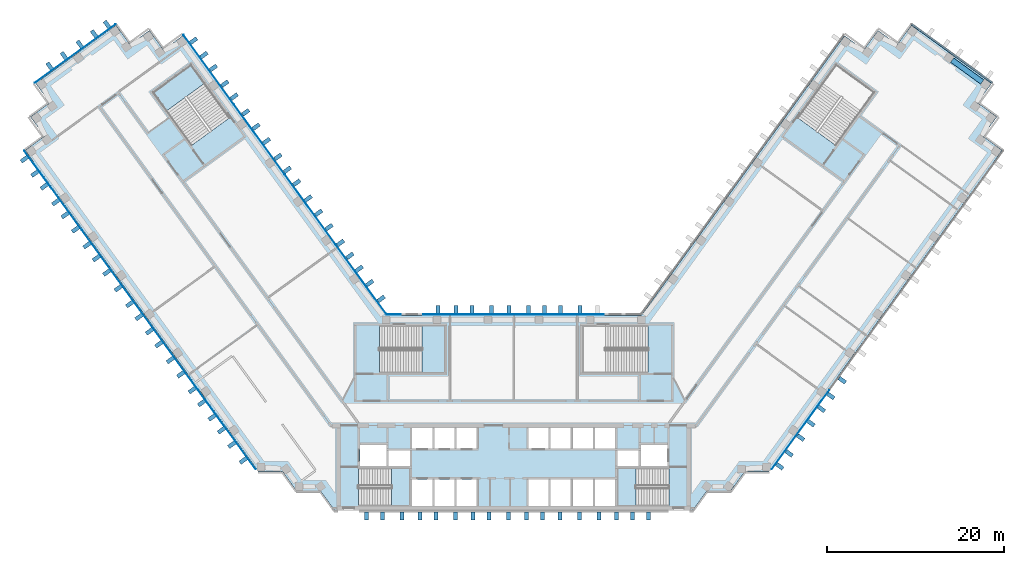
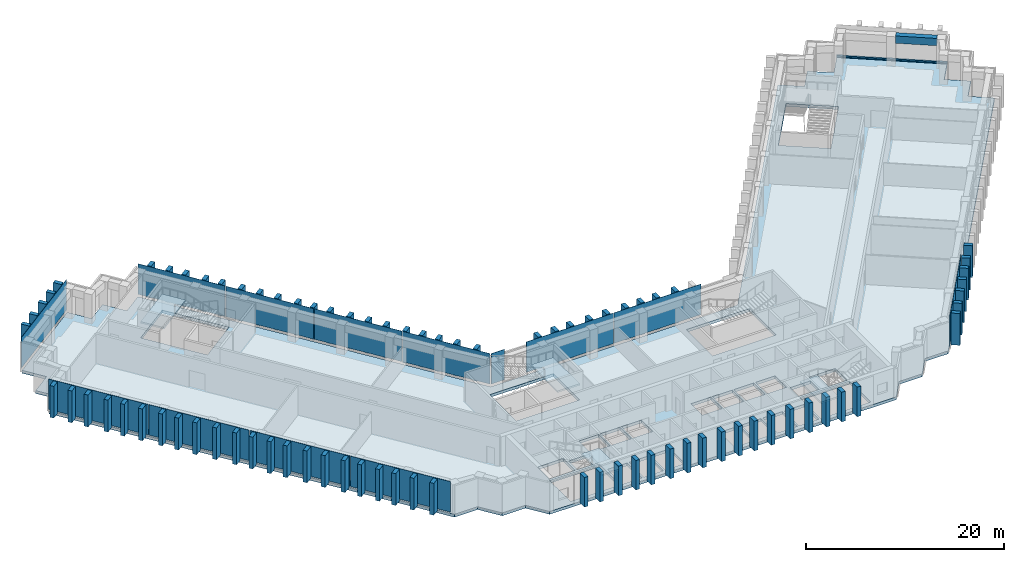
"""IFC4 building model written with IfcOpenShell, lengths in metres."""

from ifc_helpers import new_model, si_unit, direction, frame, origin, origin_2d, place, context, subcontext, project, spatial, polyline, rectangle, outline, extrude, material, layer, layer_set, material_profile, profile_set, type_object, element, aggregate, save


model = new_model("IFC4")

# Units and contexts
model_context = context("Model", 3, precision=1e-05, world=origin(), true_north=direction((0.0, 1.0)))
body_context = subcontext(model_context, "Body", "Model", "MODEL_VIEW")
ifc_project = project(units=[si_unit("LENGTHUNIT", "METRE"), si_unit("AREAUNIT", "SQUARE_METRE"), si_unit("VOLUMEUNIT", "CUBIC_METRE"), si_unit("PLANEANGLEUNIT", "RADIAN"), si_unit("MASSUNIT", "GRAM", prefix="KILO")], contexts=[model_context])

# Site, building, storey
site_placement = place(None, origin())
site = spatial("IfcSite", under=ifc_project, at=site_placement, CompositionType="ELEMENT")
building_placement = place(site_placement, origin())
building = spatial("IfcBuilding", under=site, at=building_placement, Name="Quipu Civic Tower", CompositionType="ELEMENT")
storey_1_placement = place(building_placement, frame((0.0, 0.0, 67.0)))
storey_1 = spatial("IfcBuildingStorey", under=building, at=storey_1_placement, Name="L15", CompositionType="ELEMENT", Elevation=67.0)

# Beam
ifc_material_1 = material(Name="Concrete C50/60", Category="concrete")
ifc_material_profile_1 = material_profile(ifc_material_1, rectangle(XDim=0.60009765625, YDim=0.89990234375, at=origin_2d()), Name="RC600x900")
ifc_profile_set_1 = profile_set([ifc_material_profile_1], Name="Concrete C50/60")
beam_type = type_object("IfcBeamType", Name="Spandrel beam RC 600x900 C50/60", PredefinedType="SPANDREL", material=ifc_profile_set_1)
beam_placement = place(storey_1_placement, frame((52.85595703125, 37.314453125, 3.199951171875), z_axis=(-0.808959834407, 0.587863918196, 0.0), x_axis=(-0.587863918196, -0.808959834407, 0.0)))
element("IfcBeam", 1, at=beam_placement, inside=storey_1, type_object=beam_type, Name="Spandrel beam L15 T-Eo.4-E50 to TIP-E-01-E50", PredefinedType="SPANDREL", context=body_context, shape_type="SweptSolid", body=[
    extrude(rectangle(XDim=0.60009765625, YDim=0.89990234375, at=origin_2d()), origin(), (0.0, 0.0, 1.0), 4.1982421875),
])

# Storey
storey_2_placement = place(building_placement, frame((0.0, 0.0, 59.0)))
storey_2 = spatial("IfcBuildingStorey", under=building, at=storey_2_placement, Name="L13", CompositionType="ELEMENT", Elevation=59.0)

# Curtain wall, member
ifc_material_2 = material(Name="Insulated glass unit", Category="glass")
curtain_wall_type = type_object("IfcCurtainWallType", Name="Office curtain wall CW1", PredefinedType="NOTDEFINED", material=ifc_material_2)
curtain_wall_1_placement = place(storey_2_placement, origin())
curtain_wall_1 = element("IfcCurtainWall", 2, at=curtain_wall_1_placement, inside=storey_2, type_object=curtain_wall_type, Name="Office curtain wall CW1 L12 run 31", PredefinedType="NOTDEFINED")
ifc_material_3 = material(Name="Anodised aluminium", Category="aluminium")
ifc_material_profile_2 = material_profile(ifc_material_3, rectangle(XDim=0.199951171875, YDim=0.159912109375, at=origin_2d()), Name="RECT 200x160")
ifc_profile_set_2 = profile_set([ifc_material_profile_2], Name="Anodised aluminium")
member_type = type_object("IfcMemberType", Name="Transom CW1", PredefinedType="USERDEFINED", material=ifc_profile_set_2)
member_1_placement = place(storey_1_placement, frame((53.994873046875, 37.228515625, 0.0), z_axis=(-0.809032792449, 0.587763507495, 0.0), x_axis=(-0.587763507495, -0.809032792449, 0.0)))
member_1 = element("IfcMember", 3, at=member_1_placement, inside=storey_1, type_object=member_type, Name="CW1 transom 1.4", ObjectType="TRANSOM", PredefinedType="USERDEFINED", context=body_context, shape_type="SweptSolid", body=[
    extrude(rectangle(XDim=0.199951171875, YDim=0.159912109375, at=origin_2d()), origin(), (0.0, 0.0, 1.0), 11.239990234375),
])
aggregate(curtain_wall_1, [member_1])

# Storey
storey_3_placement = place(building_placement, frame((0.0, 0.0, 71.0)))
storey_3 = spatial("IfcBuildingStorey", under=building, at=storey_3_placement, Name="L16", CompositionType="ELEMENT", Elevation=71.0)

# Curtain wall, member
curtain_wall_2_placement = place(storey_3_placement, origin())
curtain_wall_2 = element("IfcCurtainWall", 4, at=curtain_wall_2_placement, inside=storey_3, type_object=curtain_wall_type, Name="Office curtain wall CW1 L15 run 25", PredefinedType="NOTDEFINED")
member_2_placement = place(storey_1_placement, frame((53.994873046875, 37.228515625, 0.159912109375), z_axis=(-0.809032792449, 0.587763507495, 0.0), x_axis=(-0.587763507495, -0.809032792449, 0.0)))
member_2 = element("IfcMember", 5, at=member_2_placement, inside=storey_1, type_object=member_type, Name="CW1 transom 1.1", ObjectType="TRANSOM", PredefinedType="USERDEFINED", context=body_context, shape_type="SweptSolid", body=[
    extrude(rectangle(XDim=0.199951171875, YDim=0.159912109375, at=origin_2d()), origin(), (0.0, 0.0, 1.0), 11.239990234375),
])
aggregate(curtain_wall_2, [member_2])

# Slab
ifc_material_4 = material(Name="Concrete C40/50", Category="concrete")
ifc_layer_1 = layer(ifc_material_4, 0.35009765625)
ifc_layer_set_1 = layer_set([ifc_layer_1], Name="Concrete C40/50")
slab_type_1 = type_object("IfcSlabType", Name="Floor slab 350 C40/50", PredefinedType="FLOOR", material=ifc_layer_set_1)
slab_1_placement = place(storey_1_placement, frame((0.0, 0.0, -0.35009765625)))
element("IfcSlab", 6, at=slab_1_placement, inside=storey_1, type_object=slab_type_1, Name="Floor slab L15", PredefinedType="FLOOR", context=body_context, shape_type="SweptSolid", body=[
    extrude(outline(polyline([(37.31494140625, 42.550048828125), (39.5, 40.9599609375), (41.0849609375, 43.14501953125), (43.27001953125, 41.56005859375), (44.860107421875, 43.739990234375), (53.919921875, 37.159912109375), (52.3349609375, 34.97509765625), (54.514892578125, 33.389892578125), (52.929931640625, 31.205078125), (55.114990234375, 29.614990234375), (28.780029296875, -6.6298828125), (26.080078125, -6.6298828125), (24.489990234375, -8.81494140625), (21.7900390625, -8.81494140625), (20.205078125, -11.0), (-20.205078125, -11.0), (-21.7900390625, -8.81494140625), (-24.489990234375, -8.81494140625), (-26.080078125, -6.6298828125), (-28.780029296875, -6.6298828125), (-55.114990234375, 29.614990234375), (-52.929931640625, 31.205078125), (-54.514892578125, 33.389892578125), (-52.3349609375, 34.97509765625), (-53.919921875, 37.159912109375), (-44.860107421875, 43.739990234375), (-43.27001953125, 41.56005859375), (-41.0849609375, 43.14501953125), (-39.5, 40.9599609375), (-37.31494140625, 42.550048828125), (-14.39501953125, 11.0), (14.39501953125, 11.0), (37.31494140625, 42.550048828125)]), holes=[polyline([(-11.449951171875, -7.5), (-11.449951171875, -10.5), (-9.14990234375, -10.5), (-9.14990234375, -7.5), (-11.449951171875, -7.5)]), polyline([(-6.64990234375, -7.5), (-8.949951171875, -7.5), (-8.949951171875, -10.5), (-6.64990234375, -10.5), (-6.64990234375, -7.5)]), polyline([(-4.14990234375, -7.5), (-6.449951171875, -7.5), (-6.449951171875, -10.5), (-4.14990234375, -10.5), (-4.14990234375, -7.5)]), polyline([(1.64990234375, -7.5), (1.64990234375, -10.5), (3.949951171875, -10.5), (3.949951171875, -7.5), (1.64990234375, -7.5)]), polyline([(-11.705078125, -10.4951171875), (-11.705078125, -6.2548828125), (-17.4951171875, -6.2548828125), (-17.4951171875, -10.4951171875), (-11.705078125, -10.4951171875)]), polyline([(-11.699951171875, -4.25), (-14.10009765625, -4.25), (-14.10009765625, -6.0), (-11.699951171875, -6.0), (-11.699951171875, -4.25)]), polyline([(-17.35009765625, -3.60009765625), (-17.35009765625, -6.0), (-14.35009765625, -6.0), (-14.35009765625, -3.60009765625), (-17.35009765625, -3.60009765625)]), polyline([(-9.14990234375, -1.699951171875), (-11.449951171875, -1.699951171875), (-11.449951171875, -4.0), (-9.14990234375, -4.0), (-9.14990234375, -1.699951171875)]), polyline([(-6.64990234375, -1.699951171875), (-8.949951171875, -1.699951171875), (-8.949951171875, -4.0), (-6.64990234375, -4.0), (-6.64990234375, -1.699951171875)]), polyline([(-6.449951171875, -1.699951171875), (-6.449951171875, -4.0), (-4.14990234375, -4.0), (-4.14990234375, -1.699951171875), (-6.449951171875, -1.699951171875)]), polyline([(-7.7548828125, 4.5048828125), (-7.7548828125, 9.844970703125), (-15.14501953125, 9.844970703125), (-15.14501953125, 4.5048828125), (-7.7548828125, 4.5048828125)]), polyline([(-36.364990234375, 39.27490234375), (-40.68505859375, 36.135009765625), (-36.344970703125, 30.159912109375), (-32.02490234375, 33.300048828125), (-36.364990234375, 39.27490234375)]), polyline([(4.14990234375, -7.5), (4.14990234375, -10.5), (6.449951171875, -10.5), (6.449951171875, -7.5), (4.14990234375, -7.5)]), polyline([(8.949951171875, -7.5), (6.64990234375, -7.5), (6.64990234375, -10.5), (8.949951171875, -10.5), (8.949951171875, -7.5)]), polyline([(11.449951171875, -7.5), (9.14990234375, -7.5), (9.14990234375, -10.5), (11.449951171875, -10.5), (11.449951171875, -7.5)]), polyline([(11.705078125, -10.4951171875), (17.4951171875, -10.4951171875), (17.4951171875, -6.2548828125), (11.705078125, -6.2548828125), (11.705078125, -10.4951171875)]), polyline([(14.10009765625, -4.25), (11.699951171875, -4.25), (11.699951171875, -6.0), (14.10009765625, -6.0), (14.10009765625, -4.25)]), polyline([(17.35009765625, -3.60009765625), (14.35009765625, -3.60009765625), (14.35009765625, -6.0), (17.35009765625, -6.0), (17.35009765625, -3.60009765625)]), polyline([(1.64990234375, -1.699951171875), (1.64990234375, -4.0), (3.949951171875, -4.0), (3.949951171875, -1.699951171875), (1.64990234375, -1.699951171875)]), polyline([(6.449951171875, -1.699951171875), (4.14990234375, -1.699951171875), (4.14990234375, -4.0), (6.449951171875, -4.0), (6.449951171875, -1.699951171875)]), polyline([(8.949951171875, -1.699951171875), (6.64990234375, -1.699951171875), (6.64990234375, -4.0), (8.949951171875, -4.0), (8.949951171875, -1.699951171875)]), polyline([(9.14990234375, -1.699951171875), (9.14990234375, -4.0), (11.449951171875, -4.0), (11.449951171875, -1.699951171875), (9.14990234375, -1.699951171875)]), polyline([(7.7548828125, 9.844970703125), (7.7548828125, 4.5048828125), (15.14501953125, 4.5048828125), (15.14501953125, 9.844970703125), (7.7548828125, 9.844970703125)]), polyline([(40.68505859375, 36.135009765625), (36.364990234375, 39.27490234375), (32.02490234375, 33.300048828125), (36.344970703125, 30.159912109375), (40.68505859375, 36.135009765625)])]), origin(), (0.0, 0.0, 1.0), 0.35009765625),
])

# Curtain wall, plates
curtain_wall_3_placement = place(storey_3_placement, origin())
curtain_wall_3 = element("IfcCurtainWall", 7, at=curtain_wall_3_placement, inside=storey_3, type_object=curtain_wall_type, Name="Office curtain wall CW1 L15 run 1", PredefinedType="NOTDEFINED")
ifc_material_5 = material(Name="Insulated glass unit", Category="glass")
ifc_layer_2 = layer(ifc_material_5, 0.028076171875)
ifc_layer_set_2 = layer_set([ifc_layer_2], Name="Insulated glass unit")
plate_type_1 = type_object("IfcPlateType", Name="Glass panel CW1", PredefinedType="CURTAIN_PANEL", material=ifc_layer_set_2)
plate_1_placement = place(storey_1_placement, frame((-17.224609375, 15.064697265625, 0.240234375), z_axis=(0.0, 0.0, 1.0), x_axis=(-0.587785887566, 0.809016532822, 0.0)))
plate_1 = element("IfcPlate", 8, at=plate_1_placement, inside=storey_1, type_object=plate_type_1, Name="CW1 panel 1.1", PredefinedType="CURTAIN_PANEL", context=body_context, shape_type="SweptSolid", body=[
    extrude(rectangle(XDim=9.64111328125, YDim=0.028076171875, at=origin_2d()), origin(), (0.0, 0.0, 1.0), 3.760009765625),
])
plate_2_placement = place(storey_1_placement, frame((-22.950439453125, 22.9453125, 0.240234375), z_axis=(0.0, 0.0, 1.0), x_axis=(-0.587785887566, 0.809016532822, 0.0)))
plate_2 = element("IfcPlate", 9, at=plate_2_placement, inside=storey_1, type_object=plate_type_1, Name="CW1 panel 2.1", PredefinedType="CURTAIN_PANEL", context=body_context, shape_type="SweptSolid", body=[
    extrude(rectangle(XDim=9.68115234375, YDim=0.028076171875, at=origin_2d()), origin(), (0.0, 0.0, 1.0), 3.760009765625),
])
plate_3_placement = place(storey_1_placement, frame((-28.687744140625, 30.84228515625, 0.240234375), z_axis=(0.0, 0.0, 1.0), x_axis=(-0.587785887566, 0.809016532822, 0.0)))
plate_3 = element("IfcPlate", 10, at=plate_3_placement, inside=storey_1, type_object=plate_type_1, Name="CW1 panel 3.1", PredefinedType="CURTAIN_PANEL", context=body_context, shape_type="SweptSolid", body=[
    extrude(rectangle(XDim=9.68115234375, YDim=0.028076171875, at=origin_2d()), origin(), (0.0, 0.0, 1.0), 3.760009765625),
])
plate_4_placement = place(storey_1_placement, frame((-34.413330078125, 38.722900390625, 0.240234375), z_axis=(0.0, 0.0, 1.0), x_axis=(-0.587785887566, 0.809016532822, 0.0)))
plate_4 = element("IfcPlate", 11, at=plate_4_placement, inside=storey_1, type_object=plate_type_1, Name="CW1 panel 4.1", PredefinedType="CURTAIN_PANEL", context=body_context, shape_type="SweptSolid", body=[
    extrude(rectangle(XDim=9.64111328125, YDim=0.028076171875, at=origin_2d()), origin(), (0.0, 0.0, 1.0), 3.760009765625),
])
aggregate(curtain_wall_3, [plate_1, plate_2, plate_3, plate_4])

# Curtain wall, plate
curtain_wall_4_placement = place(storey_3_placement, origin())
curtain_wall_4 = element("IfcCurtainWall", 12, at=curtain_wall_4_placement, inside=storey_3, type_object=curtain_wall_type, Name="Office curtain wall CW1 L15 run 6", PredefinedType="NOTDEFINED")
plate_5_placement = place(storey_1_placement, frame((-49.447998046875, 40.53173828125, 0.240234375), z_axis=(0.0, 0.0, 1.0), x_axis=(-0.809019348124, -0.587782012621, 0.0)))
plate_5 = element("IfcPlate", 13, at=plate_5_placement, inside=storey_1, type_object=plate_type_1, Name="CW1 panel 1.1", PredefinedType="CURTAIN_PANEL", context=body_context, shape_type="SweptSolid", body=[
    extrude(rectangle(XDim=11.239990234375, YDim=0.028076171875, at=origin_2d()), origin(), (0.0, 0.0, 1.0), 3.760009765625),
])
aggregate(curtain_wall_4, [plate_5])

# Curtain wall, plates
curtain_wall_5_placement = place(storey_3_placement, origin())
curtain_wall_5 = element("IfcCurtainWall", 14, at=curtain_wall_5_placement, inside=storey_3, type_object=curtain_wall_type, Name="Office curtain wall CW1 L15 run 8", PredefinedType="NOTDEFINED")
plate_6_placement = place(storey_1_placement, frame((-51.967529296875, 25.114990234375, 0.240234375), z_axis=(0.0, 0.0, 1.0), x_axis=(0.587785559869, -0.809016770908, 0.0)))
plate_6 = element("IfcPlate", 15, at=plate_6_placement, inside=storey_1, type_object=plate_type_1, Name="CW1 panel 1.1", PredefinedType="CURTAIN_PANEL", context=body_context, shape_type="SweptSolid", body=[
    extrude(rectangle(XDim=11.022705078125, YDim=0.028076171875, at=origin_2d()), origin(), (0.0, 0.0, 1.0), 3.760009765625),
])
plate_7_placement = place(storey_1_placement, frame((-45.4296875, 16.11669921875, 0.240234375), z_axis=(0.0, 0.0, 1.0), x_axis=(0.587785559869, -0.809016770908, 0.0)))
plate_7 = element("IfcPlate", 16, at=plate_7_placement, inside=storey_1, type_object=plate_type_1, Name="CW1 panel 2.1", PredefinedType="CURTAIN_PANEL", context=body_context, shape_type="SweptSolid", body=[
    extrude(rectangle(XDim=11.062744140625, YDim=0.028076171875, at=origin_2d()), origin(), (0.0, 0.0, 1.0), 3.760009765625),
])
plate_8_placement = place(storey_1_placement, frame((-38.880126953125, 7.101806640625, 0.240234375), z_axis=(0.0, 0.0, 1.0), x_axis=(0.587785559869, -0.809016770908, 0.0)))
plate_8 = element("IfcPlate", 17, at=plate_8_placement, inside=storey_1, type_object=plate_type_1, Name="CW1 panel 3.1", PredefinedType="CURTAIN_PANEL", context=body_context, shape_type="SweptSolid", body=[
    extrude(rectangle(XDim=11.062744140625, YDim=0.028076171875, at=origin_2d()), origin(), (0.0, 0.0, 1.0), 3.760009765625),
])
plate_9_placement = place(storey_1_placement, frame((-32.342529296875, -1.896484375, 0.240234375), z_axis=(0.0, 0.0, 1.0), x_axis=(0.587785559869, -0.809016770908, 0.0)))
plate_9 = element("IfcPlate", 18, at=plate_9_placement, inside=storey_1, type_object=plate_type_1, Name="CW1 panel 4.1", PredefinedType="CURTAIN_PANEL", context=body_context, shape_type="SweptSolid", body=[
    extrude(rectangle(XDim=11.022705078125, YDim=0.028076171875, at=origin_2d()), origin(), (0.0, 0.0, 1.0), 3.760009765625),
])
aggregate(curtain_wall_5, [plate_6, plate_7, plate_8, plate_9])

# Curtain wall, plate
curtain_wall_6_placement = place(storey_3_placement, origin())
curtain_wall_6 = element("IfcCurtainWall", 19, at=curtain_wall_6_placement, inside=storey_3, type_object=curtain_wall_type, Name="Office curtain wall CW1 L15 run 20", PredefinedType="NOTDEFINED")
plate_10_placement = place(storey_1_placement, frame((32.342529296875, -1.896484375, 0.240234375), z_axis=(0.0, 0.0, 1.0), x_axis=(0.587785559869, 0.809016770908, 0.0)))
plate_10 = element("IfcPlate", 20, at=plate_10_placement, inside=storey_1, type_object=plate_type_1, Name="CW1 panel 1.1", PredefinedType="CURTAIN_PANEL", context=body_context, shape_type="SweptSolid", body=[
    extrude(rectangle(XDim=11.022705078125, YDim=0.028076171875, at=origin_2d()), origin(), (0.0, 0.0, 1.0), 3.760009765625),
])
aggregate(curtain_wall_6, [plate_10])

# Curtain wall, plates
curtain_wall_7_placement = place(storey_3_placement, origin())
curtain_wall_7 = element("IfcCurtainWall", 21, at=curtain_wall_7_placement, inside=storey_3, type_object=curtain_wall_type, Name="Office curtain wall CW1 L15 run 33", PredefinedType="NOTDEFINED")
plate_11_placement = place(storey_1_placement, frame((5.11181640625, 11.10009765625, 0.240234375), z_axis=(0.0, 0.0, 1.0), x_axis=(-1.0, 0.0, 0.0)))
plate_11 = element("IfcPlate", 22, at=plate_11_placement, inside=storey_1, type_object=plate_type_1, Name="CW1 panel 1.1", PredefinedType="CURTAIN_PANEL", context=body_context, shape_type="SweptSolid", body=[
    extrude(rectangle(XDim=10.1435546875, YDim=0.028076171875, at=origin_2d()), origin(), (0.0, 0.0, 1.0), 3.760009765625),
])
plate_12_placement = place(storey_1_placement, frame((-5.11181640625, 11.10009765625, 0.240234375), z_axis=(0.0, 0.0, 1.0), x_axis=(-1.0, 0.0, 0.0)))
plate_12 = element("IfcPlate", 23, at=plate_12_placement, inside=storey_1, type_object=plate_type_1, Name="CW1 panel 2.1", PredefinedType="CURTAIN_PANEL", context=body_context, shape_type="SweptSolid", body=[
    extrude(rectangle(XDim=10.1435546875, YDim=0.028076171875, at=origin_2d()), origin(), (0.0, 0.0, 1.0), 3.760009765625),
])
aggregate(curtain_wall_7, [plate_11, plate_12])

# Curtain wall, plate
curtain_wall_8_placement = place(storey_3_placement, origin())
curtain_wall_8 = element("IfcCurtainWall", 24, at=curtain_wall_8_placement, inside=storey_3, type_object=curtain_wall_type, Name="Office curtain wall CW1 L15 run 35", PredefinedType="NOTDEFINED")
plate_13_placement = place(storey_1_placement, frame((-13.49951171875, 11.10009765625, 0.240234375), z_axis=(0.0, 0.0, 1.0), x_axis=(-1.0, 0.0, 0.0)))
plate_13 = element("IfcPlate", 25, at=plate_13_placement, inside=storey_1, type_object=plate_type_1, Name="CW1 panel 1.1", PredefinedType="CURTAIN_PANEL", context=body_context, shape_type="SweptSolid", body=[
    extrude(rectangle(XDim=1.529296875, YDim=0.028076171875, at=origin_2d()), origin(), (0.0, 0.0, 1.0), 3.760009765625),
])
aggregate(curtain_wall_8, [plate_13])

# Plates
ifc_material_6 = material(Name="Precast concrete C40/50", Category="concrete")
plate_type_2 = type_object("IfcPlateType", Name="Precast fin F1", PredefinedType="SHEET", material=ifc_material_6)
for number, where, z_axis, x_axis, name in (
    (26, (-14.942138671875, 12.8583984375, 0.080078125), (0.0, 0.0, 1.0), (-0.587784944053, 0.809017218324, 0.0), "Precast fin F1 L15.1.1"),
    (27, (-16.235107421875, 14.638427734375, 0.080078125), (0.0, 0.0, 1.0), (-0.587784944053, 0.809017218324, 0.0), "Precast fin F1 L15.1.2"),
    (28, (-17.41064453125, 16.25634765625, 0.080078125), (0.0, 0.0, 1.0), (-0.587784944053, 0.809017218324, 0.0), "Precast fin F1 L15.1.3"),
    (29, (-18.46875, 17.712646484375, 0.080078125), (0.0, 0.0, 1.0), (-0.587784944053, 0.809017218324, 0.0), "Precast fin F1 L15.1.4"),
    (30, (-19.52685546875, 19.1689453125, 0.080078125), (0.0, 0.0, 1.0), (-0.587784944053, 0.809017218324, 0.0), "Precast fin F1 L15.1.5"),
    (31, (-20.81982421875, 20.94873046875, 0.080078125), (0.0, 0.0, 1.0), (-0.587784944053, 0.809017218324, 0.0), "Precast fin F1 L15.1.6"),
    (32, (-21.995361328125, 22.566650390625, 0.080078125), (0.0, 0.0, 1.0), (-0.587784944053, 0.809017218324, 0.0), "Precast fin F1 L15.1.7"),
    (33, (-23.171142578125, 24.184814453125, 0.080078125), (0.0, 0.0, 1.0), (-0.587784944053, 0.809017218324, 0.0), "Precast fin F1 L15.1.8"),
    (34, (-24.464111328125, 25.964599609375, 0.080078125), (0.0, 0.0, 1.0), (-0.587784944053, 0.809017218324, 0.0), "Precast fin F1 L15.1.9"),
    (35, (-25.522216796875, 27.4208984375, 0.080078125), (0.0, 0.0, 1.0), (-0.587784944053, 0.809017218324, 0.0), "Precast fin F1 L15.1.10"),
    (36, (-26.580078125, 28.876953125, 0.080078125), (0.0, 0.0, 1.0), (-0.587784944053, 0.809017218324, 0.0), "Precast fin F1 L15.1.11"),
    (37, (-27.873291015625, 30.656982421875, 0.080078125), (0.0, 0.0, 1.0), (-0.587784944053, 0.809017218324, 0.0), "Precast fin F1 L15.1.12"),
    (38, (-29.048828125, 32.27490234375, 0.080078125), (0.0, 0.0, 1.0), (-0.587784944053, 0.809017218324, 0.0), "Precast fin F1 L15.1.13"),
    (39, (-30.224365234375, 33.89306640625, 0.080078125), (0.0, 0.0, 1.0), (-0.587784944053, 0.809017218324, 0.0), "Precast fin F1 L15.1.14"),
    (40, (-31.517578125, 35.6728515625, 0.080078125), (0.0, 0.0, 1.0), (-0.587784944053, 0.809017218324, 0.0), "Precast fin F1 L15.1.15"),
    (41, (-32.57568359375, 37.129150390625, 0.080078125), (0.0, 0.0, 1.0), (-0.587784944053, 0.809017218324, 0.0), "Precast fin F1 L15.1.16"),
    (42, (-33.86865234375, 38.908935546875, 0.080078125), (0.0, 0.0, 1.0), (-0.587784944053, 0.809017218324, 0.0), "Precast fin F1 L15.1.17"),
    (43, (-34.9267578125, 40.364990234375, 0.080078125), (0.0, 0.0, 1.0), (-0.587784944053, 0.809017218324, 0.0), "Precast fin F1 L15.1.18"),
    (44, (-36.102294921875, 41.983154296875, 0.080078125), (0.0, 0.0, 1.0), (-0.587784944053, 0.809017218324, 0.0), "Precast fin F1 L15.1.19"),
    (45, (-45.867919921875, 43.812744140625, 0.080078125), (0.0, 0.0, 1.0), (-0.809021318545, -0.587779300537, 0.0), "Precast fin F1 L15.6.1"),
    (46, (-47.323974609375, 42.754638671875, 0.080078125), (0.0, 0.0, 1.0), (-0.809021318545, -0.587779300537, 0.0), "Precast fin F1 L15.6.2"),
    (47, (-48.942138671875, 41.5791015625, 0.080078125), (0.0, 0.0, 1.0), (-0.809021318545, -0.587779300537, 0.0), "Precast fin F1 L15.6.3"),
    (48, (-50.721923828125, 40.2861328125, 0.080078125), (0.0, 0.0, 1.0), (-0.809021318545, -0.587779300537, 0.0), "Precast fin F1 L15.6.4"),
    (49, (-52.340087890625, 39.110595703125, 0.080078125), (0.0, 0.0, 1.0), (-0.809021318545, -0.587779300537, 0.0), "Precast fin F1 L15.6.5"),
    (50, (-55.184814453125, 28.607421875, 0.080078125), (0.0, 0.0, 1.0), (0.587785716149, -0.809016657363, 0.0), "Precast fin F1 L15.8.1"),
    (51, (-54.00927734375, 26.989501953125, 0.080078125), (0.0, 0.0, 1.0), (0.587785716149, -0.809016657363, 0.0), "Precast fin F1 L15.8.2"),
    (52, (-52.951171875, 25.533203125, 0.080078125), (0.0, 0.0, 1.0), (0.587785716149, -0.809016657363, 0.0), "Precast fin F1 L15.8.3"),
    (53, (-51.657958984375, 23.75341796875, 0.080078125), (0.0, 0.0, 1.0), (0.587785716149, -0.809016657363, 0.0), "Precast fin F1 L15.8.4"),
    (54, (-50.60009765625, 22.297119140625, 0.080078125), (0.0, 0.0, 1.0), (0.587785716149, -0.809016657363, 0.0), "Precast fin F1 L15.8.5"),
    (55, (-49.42431640625, 20.67919921875, 0.080078125), (0.0, 0.0, 1.0), (0.587785716149, -0.809016657363, 0.0), "Precast fin F1 L15.8.6"),
    (56, (-48.13134765625, 18.899169921875, 0.080078125), (0.0, 0.0, 1.0), (0.587785716149, -0.809016657363, 0.0), "Precast fin F1 L15.8.7"),
    (57, (-47.0732421875, 17.443115234375, 0.080078125), (0.0, 0.0, 1.0), (0.587785716149, -0.809016657363, 0.0), "Precast fin F1 L15.8.8"),
    (58, (-45.897705078125, 15.824951171875, 0.080078125), (0.0, 0.0, 1.0), (0.587785716149, -0.809016657363, 0.0), "Precast fin F1 L15.8.9"),
    (59, (-44.6044921875, 14.045166015625, 0.080078125), (0.0, 0.0, 1.0), (0.587785716149, -0.809016657363, 0.0), "Precast fin F1 L15.8.10"),
    (60, (-43.3115234375, 12.265380859375, 0.080078125), (0.0, 0.0, 1.0), (0.587785716149, -0.809016657363, 0.0), "Precast fin F1 L15.8.11"),
    (61, (-42.25341796875, 10.80908203125, 0.080078125), (0.0, 0.0, 1.0), (0.587785716149, -0.809016657363, 0.0), "Precast fin F1 L15.8.12"),
    (62, (-41.077880859375, 9.191162109375, 0.080078125), (0.0, 0.0, 1.0), (0.587785716149, -0.809016657363, 0.0), "Precast fin F1 L15.8.13"),
    (63, (-40.019775390625, 7.73486328125, 0.080078125), (0.0, 0.0, 1.0), (0.587785716149, -0.809016657363, 0.0), "Precast fin F1 L15.8.14"),
    (64, (-38.726806640625, 5.955078125, 0.080078125), (0.0, 0.0, 1.0), (0.587785716149, -0.809016657363, 0.0), "Precast fin F1 L15.8.15"),
    (65, (-37.55126953125, 4.3369140625, 0.080078125), (0.0, 0.0, 1.0), (0.587785716149, -0.809016657363, 0.0), "Precast fin F1 L15.8.16"),
    (66, (-36.258056640625, 2.55712890625, 0.080078125), (0.0, 0.0, 1.0), (0.587785716149, -0.809016657363, 0.0), "Precast fin F1 L15.8.17"),
    (67, (-35.199951171875, 1.100830078125, 0.080078125), (0.0, 0.0, 1.0), (0.587785716149, -0.809016657363, 0.0), "Precast fin F1 L15.8.18"),
    (68, (-34.0244140625, -0.51708984375, 0.080078125), (0.0, 0.0, 1.0), (0.587785716149, -0.809016657363, 0.0), "Precast fin F1 L15.8.19"),
    (69, (-32.96630859375, -1.973388671875, 0.080078125), (0.0, 0.0, 1.0), (0.587785716149, -0.809016657363, 0.0), "Precast fin F1 L15.8.20"),
    (70, (-31.790771484375, -3.59130859375, 0.080078125), (0.0, 0.0, 1.0), (0.587785716149, -0.809016657363, 0.0), "Precast fin F1 L15.8.21"),
    (71, (-30.497802734375, -5.371337890625, 0.080078125), (0.0, 0.0, 1.0), (0.587785716149, -0.809016657363, 0.0), "Precast fin F1 L15.8.22"),
):
    element("IfcPlate", number, at=place(storey_1_placement, frame(where, z_axis=z_axis, x_axis=x_axis)), inside=storey_1, type_object=plate_type_2, Name=name, PredefinedType="SHEET", context=body_context, shape_type="SweptSolid", body=[
        extrude(rectangle(XDim=0.449951171875, YDim=0.89990234375, at=origin_2d()), origin(), (0.0, 0.0, 1.0), 3.919921875),
    ])
for number, where, z_axis, x_axis, name in (
    (72, (-16.574951171875, -11.637939453125, 0.0), (0.0, 0.0, 1.0), (1.0, 0.0, 0.0), "Precast fin F1 L15.14.1"),
    (73, (-14.77490234375, -11.637939453125, 0.0), (0.0, 0.0, 1.0), (1.0, 0.0, 0.0), "Precast fin F1 L15.14.2"),
    (74, (-12.574951171875, -11.637939453125, 0.0), (0.0, 0.0, 1.0), (1.0, 0.0, 0.0), "Precast fin F1 L15.14.3"),
    (75, (-10.574951171875, -11.637939453125, 0.0), (0.0, 0.0, 1.0), (1.0, 0.0, 0.0), "Precast fin F1 L15.14.4"),
    (76, (-8.77490234375, -11.637939453125, 0.0), (0.0, 0.0, 1.0), (1.0, 0.0, 0.0), "Precast fin F1 L15.14.5"),
    (77, (-6.574951171875, -11.637939453125, 0.0), (0.0, 0.0, 1.0), (1.0, 0.0, 0.0), "Precast fin F1 L15.14.6"),
    (78, (-4.574951171875, -11.637939453125, 0.0), (0.0, 0.0, 1.0), (1.0, 0.0, 0.0), "Precast fin F1 L15.14.7"),
    (79, (-2.77490234375, -11.637939453125, 0.0), (0.0, 0.0, 1.0), (1.0, 0.0, 0.0), "Precast fin F1 L15.14.8"),
    (80, (-0.574951171875, -11.637939453125, 0.0), (0.0, 0.0, 1.0), (1.0, 0.0, 0.0), "Precast fin F1 L15.14.9"),
    (81, (1.425048828125, -11.637939453125, 0.0), (0.0, 0.0, 1.0), (1.0, 0.0, 0.0), "Precast fin F1 L15.14.10"),
    (82, (3.22509765625, -11.637939453125, 0.0), (0.0, 0.0, 1.0), (1.0, 0.0, 0.0), "Precast fin F1 L15.14.11"),
    (83, (5.22509765625, -11.637939453125, 0.0), (0.0, 0.0, 1.0), (1.0, 0.0, 0.0), "Precast fin F1 L15.14.12"),
    (84, (7.425048828125, -11.637939453125, 0.0), (0.0, 0.0, 1.0), (1.0, 0.0, 0.0), "Precast fin F1 L15.14.13"),
    (85, (9.625, -11.637939453125, 0.0), (0.0, 0.0, 1.0), (1.0, 0.0, 0.0), "Precast fin F1 L15.14.14"),
    (86, (11.625, -11.637939453125, 0.0), (0.0, 0.0, 1.0), (1.0, 0.0, 0.0), "Precast fin F1 L15.14.15"),
    (87, (13.425048828125, -11.637939453125, 0.0), (0.0, 0.0, 1.0), (1.0, 0.0, 0.0), "Precast fin F1 L15.14.16"),
    (88, (15.22509765625, -11.637939453125, 0.0), (0.0, 0.0, 1.0), (1.0, 0.0, 0.0), "Precast fin F1 L15.14.17"),
):
    element("IfcPlate", number, at=place(storey_1_placement, frame(where, z_axis=z_axis, x_axis=x_axis)), inside=storey_1, type_object=plate_type_2, Name=name, PredefinedType="SHEET", context=body_context, shape_type="SweptSolid", body=[
        extrude(rectangle(XDim=0.449951171875, YDim=0.89990234375, at=origin_2d()), origin(), (0.0, 0.0, 1.0), 3.64990234375),
    ])
for number, where, z_axis, x_axis, name in (
    (89, (30.014892578125, -6.03564453125, 0.080078125), (0.0, 0.0, 1.0), (0.587785716149, 0.809016657363, 0.0), "Precast fin F1 L15.20.1"),
    (90, (31.072998046875, -4.57958984375, 0.080078125), (0.0, 0.0, 1.0), (0.587785716149, 0.809016657363, 0.0), "Precast fin F1 L15.20.2"),
    (91, (32.365966796875, -2.7998046875, 0.080078125), (0.0, 0.0, 1.0), (0.587785716149, 0.809016657363, 0.0), "Precast fin F1 L15.20.3"),
    (92, (33.541748046875, -1.181640625, 0.080078125), (0.0, 0.0, 1.0), (0.587785716149, 0.809016657363, 0.0), "Precast fin F1 L15.20.4"),
    (93, (34.71728515625, 0.436279296875, 0.080078125), (0.0, 0.0, 1.0), (0.587785716149, 0.809016657363, 0.0), "Precast fin F1 L15.20.5"),
    (94, (35.775146484375, 1.892578125, 0.080078125), (0.0, 0.0, 1.0), (0.587785716149, 0.809016657363, 0.0), "Precast fin F1 L15.20.6"),
    (95, (37.068359375, 3.67236328125, 0.080078125), (0.0, 0.0, 1.0), (0.587785716149, 0.809016657363, 0.0), "Precast fin F1 L15.20.7"),
    (96, (7.47509765625, 11.64990234375, 0.080078125), (0.0, 0.0, 1.0), (-1.0, 0.0, 0.0), "Precast fin F1 L15.33.2"),
    (97, (5.27490234375, 11.64990234375, 0.080078125), (0.0, 0.0, 1.0), (-1.0, 0.0, 0.0), "Precast fin F1 L15.33.3"),
    (98, (3.47509765625, 11.64990234375, 0.080078125), (0.0, 0.0, 1.0), (-1.0, 0.0, 0.0), "Precast fin F1 L15.33.4"),
    (99, (1.675048828125, 11.64990234375, 0.080078125), (0.0, 0.0, 1.0), (-1.0, 0.0, 0.0), "Precast fin F1 L15.33.5"),
    (100, (-0.52490234375, 11.64990234375, 0.080078125), (0.0, 0.0, 1.0), (-1.0, 0.0, 0.0), "Precast fin F1 L15.33.6"),
    (101, (-2.52490234375, 11.64990234375, 0.080078125), (0.0, 0.0, 1.0), (-1.0, 0.0, 0.0), "Precast fin F1 L15.33.7"),
    (102, (-4.72509765625, 11.64990234375, 0.080078125), (0.0, 0.0, 1.0), (-1.0, 0.0, 0.0), "Precast fin F1 L15.33.8"),
    (103, (-6.52490234375, 11.64990234375, 0.080078125), (0.0, 0.0, 1.0), (-1.0, 0.0, 0.0), "Precast fin F1 L15.33.9"),
    (104, (-8.52490234375, 11.64990234375, 0.080078125), (0.0, 0.0, 1.0), (-1.0, 0.0, 0.0), "Precast fin F1 L15.33.10"),
):
    element("IfcPlate", number, at=place(storey_1_placement, frame(where, z_axis=z_axis, x_axis=x_axis)), inside=storey_1, type_object=plate_type_2, Name=name, PredefinedType="SHEET", context=body_context, shape_type="SweptSolid", body=[
        extrude(rectangle(XDim=0.449951171875, YDim=0.89990234375, at=origin_2d()), origin(), (0.0, 0.0, 1.0), 3.919921875),
    ])

# Stair, slab
ifc_material_7 = material(Name="Concrete C40/50", Category="concrete")
stair_type_1 = type_object("IfcStairType", Name="Half turn stair 2000", PredefinedType="HALF_TURN_STAIR", material=ifc_material_7)
stair_1_placement = place(storey_1_placement, origin())
stair_1 = element("IfcStair", 105, at=stair_1_placement, inside=storey_1, type_object=stair_type_1, Name="Exit stair 1", PredefinedType="HALF_TURN_STAIR")
ifc_material_8 = material(Name="Concrete C40/50", Category="concrete")
ifc_layer_3 = layer(ifc_material_8, 0.199951171875)
ifc_layer_set_3 = layer_set([ifc_layer_3], Name="Concrete C40/50")
slab_type_2 = type_object("IfcSlabType", Name="Stair landing 200", PredefinedType="LANDING", material=ifc_layer_set_3)
slab_2_placement = place(storey_1_placement, frame((0.0, 0.0, 1.800048828125)))
slab_2 = element("IfcSlab", 106, at=slab_2_placement, type_object=slab_type_2, Name="ST-1 landing 1", PredefinedType="LANDING", context=body_context, shape_type="SweptSolid", body=[
    extrude(outline(polyline([(-13.780029296875, -10.5), (-11.699951171875, -10.5), (-11.699951171875, -6.25), (-13.780029296875, -6.25), (-13.780029296875, -10.5)])), origin(), (0.0, 0.0, 1.0), 0.199951171875),
])
aggregate(stair_1, [slab_2])

stair_2_placement = place(storey_1_placement, origin())
stair_2 = element("IfcStair", 107, at=stair_2_placement, inside=storey_1, type_object=stair_type_1, Name="Exit stair 2", PredefinedType="HALF_TURN_STAIR")
slab_3_placement = place(storey_1_placement, frame((0.0, 0.0, 1.800048828125)))
slab_3 = element("IfcSlab", 108, at=slab_3_placement, type_object=slab_type_2, Name="ST-2 landing 1", PredefinedType="LANDING", context=body_context, shape_type="SweptSolid", body=[
    extrude(outline(polyline([(13.780029296875, -6.25), (11.699951171875, -6.25), (11.699951171875, -10.5), (13.780029296875, -10.5), (13.780029296875, -6.25)])), origin(), (0.0, 0.0, 1.0), 0.199951171875),
])
aggregate(stair_2, [slab_3])

ifc_material_9 = material(Name="Concrete C40/50", Category="concrete")
stair_type_2 = type_object("IfcStairType", Name="Half turn stair 2600", PredefinedType="HALF_TURN_STAIR", material=ifc_material_9)
stair_3_placement = place(storey_1_placement, origin())
stair_3 = element("IfcStair", 109, at=stair_3_placement, inside=storey_1, type_object=stair_type_2, Name="Exit stair 3", PredefinedType="HALF_TURN_STAIR")
slab_4_placement = place(storey_1_placement, frame((0.0, 0.0, 1.800048828125)))
slab_4 = element("IfcSlab", 110, at=slab_4_placement, type_object=slab_type_2, Name="ST-3 landing 1", PredefinedType="LANDING", context=body_context, shape_type="SweptSolid", body=[
    extrude(outline(polyline([(-10.35009765625, 4.5), (-7.75, 4.5), (-7.75, 9.85009765625), (-10.35009765625, 9.85009765625), (-10.35009765625, 4.5)])), origin(), (0.0, 0.0, 1.0), 0.199951171875),
])
aggregate(stair_3, [slab_4])

stair_4_placement = place(storey_1_placement, origin())
stair_4 = element("IfcStair", 111, at=stair_4_placement, inside=storey_1, type_object=stair_type_2, Name="Exit stair 6", PredefinedType="HALF_TURN_STAIR")
slab_5_placement = place(storey_1_placement, frame((0.0, 0.0, 1.800048828125)))
slab_5 = element("IfcSlab", 112, at=slab_5_placement, type_object=slab_type_2, Name="ST-6 landing 1", PredefinedType="LANDING", context=body_context, shape_type="SweptSolid", body=[
    extrude(outline(polyline([(-34.837158203125, 37.179443359375), (-36.365478515625, 39.282958984375), (-40.69384765625, 36.138427734375), (-39.16552734375, 34.034912109375), (-34.837158203125, 37.179443359375)])), origin(), (0.0, 0.0, 1.0), 0.199951171875),
])
aggregate(stair_4, [slab_5])

save(model, "model.ifc")
